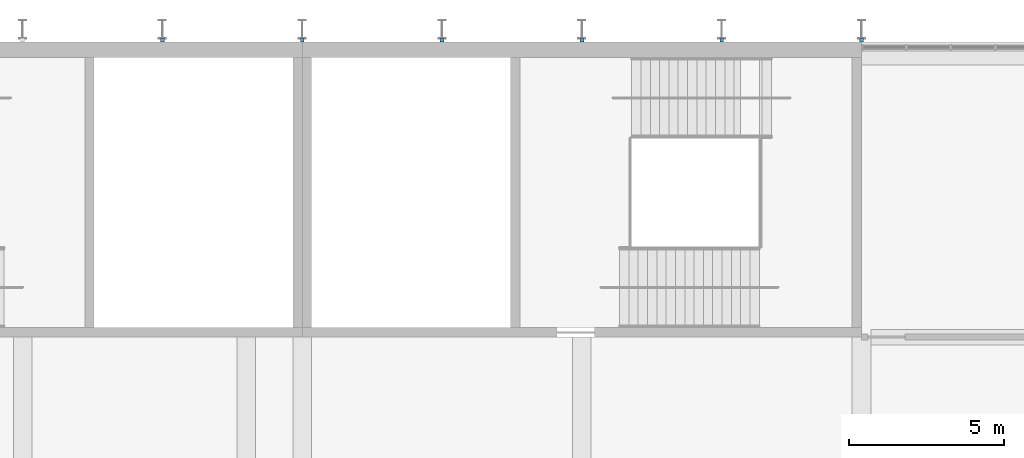
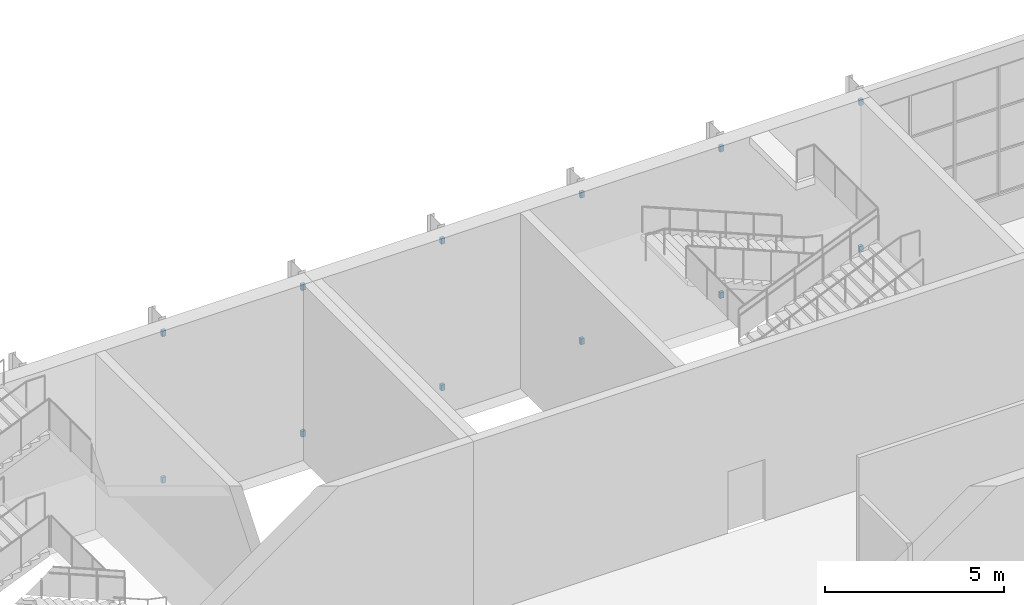
# One storey, part 64 of 89: 12 discrete accessories.
"""IFC4 building model written with IfcOpenShell, lengths in metres."""

from ifc_helpers import new_model, si_unit, direction, frame, origin, origin_2d, place, context, subcontext, project, spatial, rectangle, extrude, material, type_object, element, save


model = new_model("IFC4")

# Units and contexts
model_context = context("Model", 3, precision=1e-05, world=origin(), true_north=direction((0.0, 1.0)))
body_context = subcontext(model_context, "Body", "Model", "MODEL_VIEW")
ifc_project = project(units=[si_unit("LENGTHUNIT", "METRE"), si_unit("AREAUNIT", "SQUARE_METRE"), si_unit("VOLUMEUNIT", "CUBIC_METRE"), si_unit("PLANEANGLEUNIT", "RADIAN"), si_unit("MASSUNIT", "GRAM", prefix="KILO")], contexts=[model_context])

# Site, building, storey
site_placement = place(None, origin())
site = spatial("IfcSite", under=ifc_project, at=site_placement, CompositionType="ELEMENT")
building_placement = place(site_placement, origin())
building = spatial("IfcBuilding", under=site, at=building_placement, Name="Silverbay Arena", CompositionType="ELEMENT")
storey_placement = place(building_placement, frame((0.0, 0.0, 22.0)))
storey = spatial("IfcBuildingStorey", under=building, at=storey_placement, Name="L03", CompositionType="ELEMENT", Elevation=22.0)

# Discrete accessories
ifc_material = material(Name="Steel S355", Category="steel")
discrete_accessory_type = type_object("IfcDiscreteAccessoryType", Name="Steel bracket plate", PredefinedType="BRACKET", material=ifc_material)
for number, where, z_axis, x_axis, name in (
    (1, (94.5, 144.550048828125, 0.39990234375), (0.0, 0.0, 1.0), (1.0, 0.0, 0.0), "Fin bracket"),
    (2, (94.5, 144.550048828125, 5.39990234375), (0.0, 0.0, 1.0), (1.0, 0.0, 0.0), "Fin bracket"),
    (3, (99.0, 144.550048828125, 0.39990234375), (0.0, 0.0, 1.0), (1.0, 0.0, 0.0), "Fin bracket"),
    (4, (99.0, 144.550048828125, 5.39990234375), (0.0, 0.0, 1.0), (1.0, 0.0, 0.0), "Fin bracket"),
    (5, (103.5, 144.550048828125, 0.39990234375), (0.0, 0.0, 1.0), (1.0, 0.0, 0.0), "Fin bracket"),
    (6, (103.5, 144.550048828125, 5.39990234375), (0.0, 0.0, 1.0), (1.0, 0.0, 0.0), "Fin bracket"),
    (7, (108.0, 144.550048828125, 0.39990234375), (0.0, 0.0, 1.0), (1.0, 0.0, 0.0), "Fin bracket"),
    (8, (108.0, 144.550048828125, 5.39990234375), (0.0, 0.0, 1.0), (1.0, 0.0, 0.0), "Fin bracket"),
    (9, (112.5, 144.550048828125, 0.39990234375), (0.0, 0.0, 1.0), (1.0, 0.0, 0.0), "Fin bracket"),
    (10, (112.5, 144.550048828125, 5.39990234375), (0.0, 0.0, 1.0), (1.0, 0.0, 0.0), "Fin bracket"),
    (11, (117.0, 144.550048828125, 0.39990234375), (0.0, 0.0, 1.0), (1.0, 0.0, 0.0), "Fin bracket"),
    (12, (117.0, 144.550048828125, 5.39990234375), (0.0, 0.0, 1.0), (1.0, 0.0, 0.0), "Fin bracket"),
):
    element("IfcDiscreteAccessory", number, at=place(storey_placement, frame(where, z_axis=z_axis, x_axis=x_axis)), inside=storey, type_object=discrete_accessory_type, Name=name, PredefinedType="BRACKET", context=body_context, shape_type="SweptSolid", body=[
        extrude(rectangle(XDim=0.1201171875, YDim=0.10009765625, at=origin_2d()), origin(), (0.0, 0.0, 1.0), 0.199951171875),
    ])

save(model, "model.ifc")
